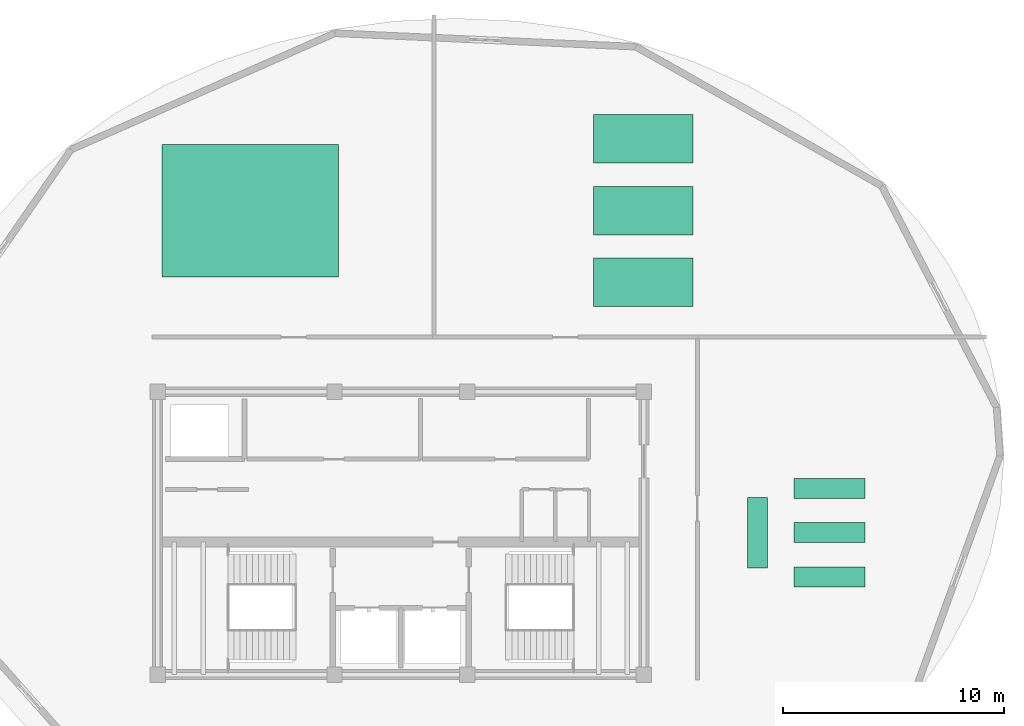
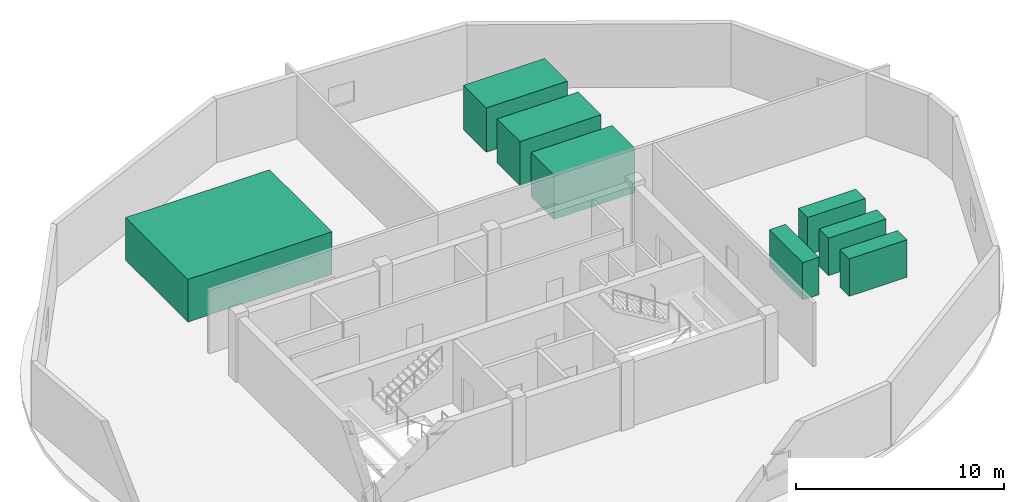
# One storey, part 5 of 5: 4 electric distribution boards, 3 air to air heat recovery elements, 1 tank.
"""IFC4 building model written with IfcOpenShell, lengths in metres."""

from ifc_helpers import new_model, si_unit, direction, frame, origin, origin_2d, place, context, subcontext, project, spatial, rectangle, extrude, material, type_object, element, save


model = new_model("IFC4")

# Units and contexts
model_context = context("Model", 3, precision=1e-05, world=origin(), true_north=direction((0.0, 1.0)))
body_context = subcontext(model_context, "Body", "Model", "MODEL_VIEW")
ifc_project = project(units=[si_unit("LENGTHUNIT", "METRE"), si_unit("AREAUNIT", "SQUARE_METRE"), si_unit("VOLUMEUNIT", "CUBIC_METRE"), si_unit("PLANEANGLEUNIT", "RADIAN"), si_unit("MASSUNIT", "GRAM", prefix="KILO")], contexts=[model_context])

# Site, building, storey
site_placement = place(None, origin())
site = spatial("IfcSite", under=ifc_project, at=site_placement, CompositionType="ELEMENT")
building_placement = place(site_placement, origin())
building = spatial("IfcBuilding", under=site, at=building_placement, Name="Kazevale Care Tower and Concert Hall", CompositionType="ELEMENT")
storey_placement = place(building_placement, frame((0.0, 0.0, 296.800048828125)))
storey = spatial("IfcBuildingStorey", under=building, at=storey_placement, Name="L78", CompositionType="ELEMENT", Elevation=296.800048828125)

# Electric distribution boards
ifc_material_1 = material(Name="Aluminium 6063-T6", Category="aluminium")
electric_distribution_board_type = type_object("IfcElectricDistributionBoardType", Name="Crown Switchgear Board 3200x900", PredefinedType="SWITCHBOARD", material=ifc_material_1)
for number, where, z_axis, x_axis, name in (
    (1, (52.39990234375, 30.02392578125, 0.0), (0.0, 0.0, 1.0), (1.0, 0.0, 0.0), "Crown Switchgear Board L78-1"),
    (2, (52.39990234375, 28.02392578125, 0.0), (0.0, 0.0, 1.0), (1.0, 0.0, 0.0), "Crown Switchgear Board L78-2"),
    (3, (52.39990234375, 32.02392578125, 0.0), (0.0, 0.0, 1.0), (1.0, 0.0, 0.0), "Crown Switchgear Board L78-3"),
    (4, (49.14990234375, 30.02392578125, 0.0), (0.0, 0.0, 1.0), (0.0, 1.0, 0.0), "Crown Switchgear Board L78-4"),
):
    element("IfcElectricDistributionBoard", number, at=place(storey_placement, frame(where, z_axis=z_axis, x_axis=x_axis)), inside=storey, type_object=electric_distribution_board_type, Name=name, PredefinedType="SWITCHBOARD", context=body_context, shape_type="SweptSolid", body=[
        extrude(rectangle(XDim=3.199951171875, YDim=0.89990234375, at=origin_2d()), origin(), (0.0, 0.0, 1.0), 2.199951171875),
    ])

# Air to air heat recovery
air_to_air_heat_recovery_type = type_object("IfcAirToAirHeatRecoveryType", Name="Enthalpy Heat Recovery Unit 4500x2200", PredefinedType="ROTARYWHEEL", material=ifc_material_1)
for number, where, z_axis, x_axis, name in (
    (5, (43.97509765625, 44.60009765625, 0.0), (0.0, 0.0, 1.0), (1.0, 0.0, 0.0), "Enthalpy Heat Recovery Unit L78-1"),
    (6, (43.97509765625, 47.85009765625, 0.0), (0.0, 0.0, 1.0), (1.0, 0.0, 0.0), "Enthalpy Heat Recovery Unit L78-2"),
    (7, (43.97509765625, 41.35009765625, 0.0), (0.0, 0.0, 1.0), (1.0, 0.0, 0.0), "Enthalpy Heat Recovery Unit L78-3"),
):
    element("IfcAirToAirHeatRecovery", number, at=place(storey_placement, frame(where, z_axis=z_axis, x_axis=x_axis)), inside=storey, type_object=air_to_air_heat_recovery_type, Name=name, PredefinedType="ROTARYWHEEL", context=body_context, shape_type="SweptSolid", body=[
        extrude(rectangle(XDim=4.5, YDim=2.199951171875, at=origin_2d()), origin(), (0.0, 0.0, 1.0), 2.60009765625),
    ])

# Tank
ifc_material_2 = material(Name="GRP Polyester Laminate")
tank_type = type_object("IfcTankType", Name="Fire Reserve Water Tank 120 m3 8000x6000", PredefinedType="STORAGE", material=ifc_material_2)
tank_placement = place(storey_placement, frame((26.19091796875, 44.60009765625, 0.0), z_axis=(0.0, 0.0, 1.0), x_axis=(1.0, 0.0, 0.0)))
element("IfcTank", 8, at=tank_placement, inside=storey, type_object=tank_type, Name="Fire Reserve Water Tank L78-1", PredefinedType="STORAGE", context=body_context, shape_type="SweptSolid", body=[
    extrude(rectangle(XDim=8.0, YDim=6.0, at=origin_2d()), origin(), (0.0, 0.0, 1.0), 2.5),
])

save(model, "model.ifc")
